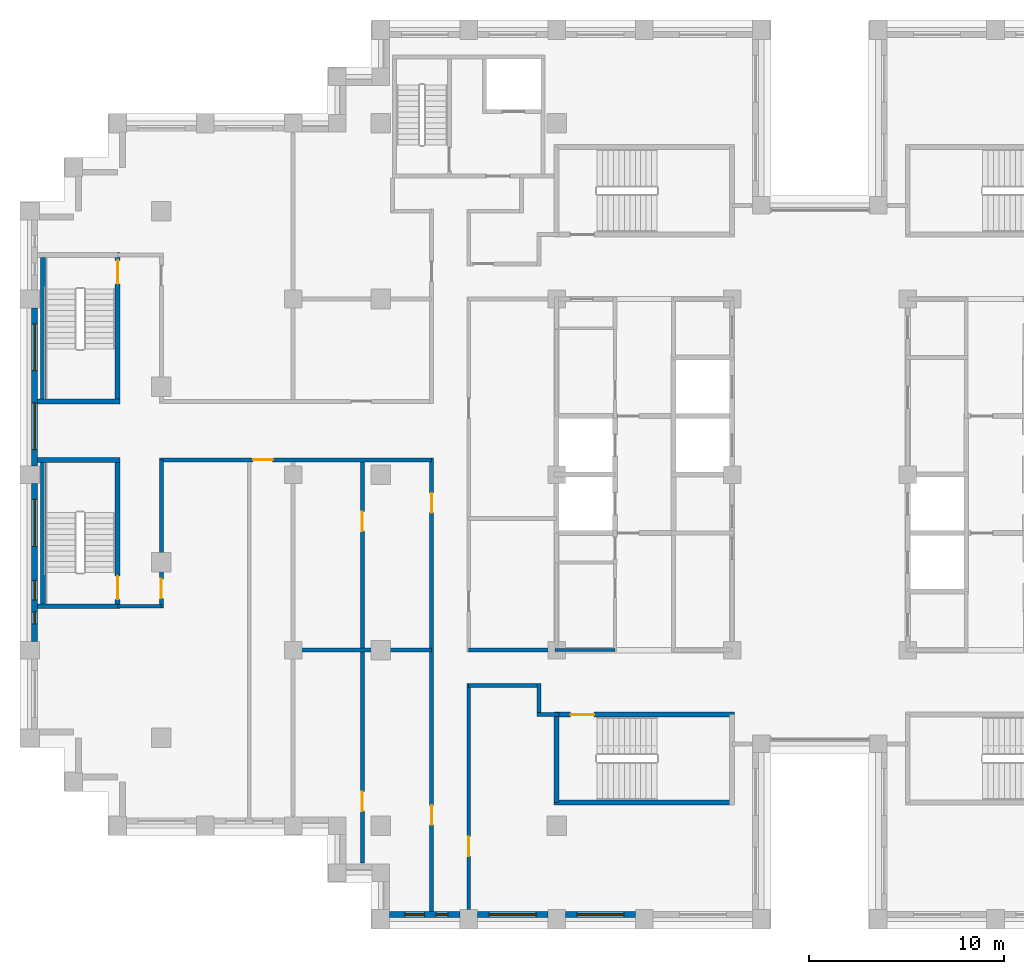
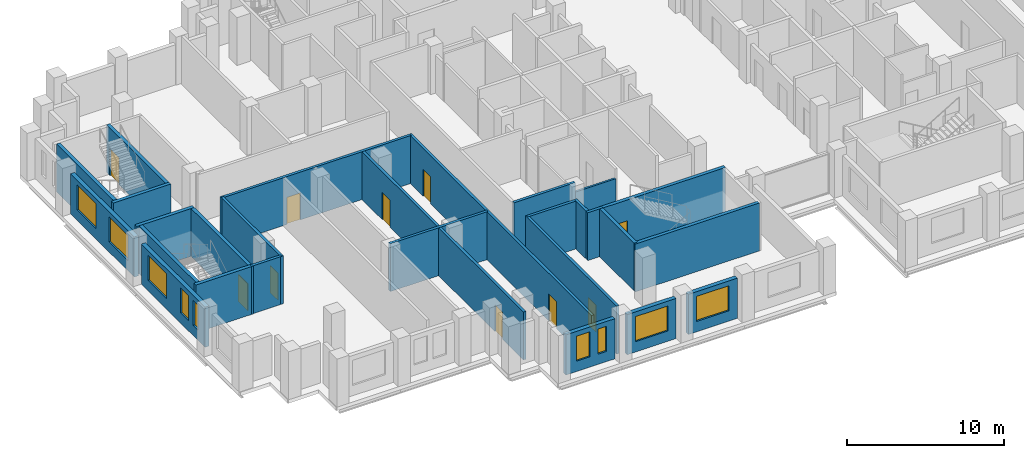
# One storey, part 6 of 15: 27 walls, 10 doors, 9 windows, 19 openings.
"""IFC4 building model written with IfcOpenShell, lengths in metres."""

from ifc_helpers import new_model, si_unit, direction, frame, frame_2d, origin, place, context, subcontext, project, spatial, rectangle, extrude, material, layer, layer_set, type_object, element, fill, save


model = new_model("IFC4")

# Units and contexts
model_context = context("Model", 3, precision=1e-05, world=origin(), true_north=direction((0.0, 1.0)))
body_context = subcontext(model_context, "Body", "Model", "MODEL_VIEW")
ifc_project = project(units=[si_unit("LENGTHUNIT", "METRE"), si_unit("AREAUNIT", "SQUARE_METRE"), si_unit("VOLUMEUNIT", "CUBIC_METRE"), si_unit("PLANEANGLEUNIT", "RADIAN"), si_unit("MASSUNIT", "GRAM", prefix="KILO")], contexts=[model_context])

# Site, building, storey
site_placement = place(None, origin())
site = spatial("IfcSite", under=ifc_project, at=site_placement, CompositionType="ELEMENT")
building_placement = place(site_placement, origin())
building = spatial("IfcBuilding", under=site, at=building_placement, Name="Corbelhall Arena Tower", CompositionType="ELEMENT")
storey_placement = place(building_placement, frame((0.0, 0.0, 220.0)))
storey = spatial("IfcBuildingStorey", under=building, at=storey_placement, Name="L46", CompositionType="ELEMENT", Elevation=220.0)

# Wall, openings, windows
ifc_material_1 = material(Name="Precast concrete C40/50 with granite facing", Category="masonry")
ifc_layer_1 = layer(ifc_material_1, 0.300048828125)
ifc_layer_set_1 = layer_set([ifc_layer_1], Name="EV-IW1 Infill panel 300")
wall_type_1 = type_object("IfcWallType", Name="EV-IW1 Infill panel 300", PredefinedType="SOLIDWALL", material=ifc_layer_set_1)
wall_1_placement = place(storey_placement, frame((-40.25, 8.550048828125, 0.0), z_axis=(0.0, 0.0, 1.0), x_axis=(0.0, -1.0, 0.0)))
wall_1 = element("IfcWall", 1, at=wall_1_placement, inside=storey, type_object=wall_type_1, Name="Infill panel IW1", PredefinedType="SOLIDWALL", context=body_context, shape_type="SweptSolid", body=[
    extrude(rectangle(XDim=8.10009765625, YDim=0.300048828125, at=frame_2d((4.050048828125, 0.0))), origin(), (0.0, 0.0, 1.0), 3.1201171875),
])
opening_1_placement = place(wall_1_placement, frame((0.824951171875, 0.0, 0.800048828125)))
opening_1 = element("IfcOpeningElement", 2, at=opening_1_placement, cuts=wall_1, Name="Opening WN1", PredefinedType="OPENING", context=body_context, shape_type="SweptSolid", body=[
    extrude(rectangle(XDim=2.39990234375, YDim=1.949951171875, at=frame_2d((1.199951171875, 0.97509765625))), frame((0.0, 0.14990234375, 0.0), z_axis=(0.0, -1.0, 0.0), x_axis=(1.0, 0.0, 0.0)), (0.0, 0.0, 1.0), 0.300048828125),
])
opening_2_placement = place(wall_1_placement, frame((4.875, 0.0, 0.800048828125)))
opening_2 = element("IfcOpeningElement", 3, at=opening_2_placement, cuts=wall_1, Name="Opening WN1", PredefinedType="OPENING", context=body_context, shape_type="SweptSolid", body=[
    extrude(rectangle(XDim=2.39990234375, YDim=1.949951171875, at=frame_2d((1.199951171875, 0.97509765625))), frame((0.0, 0.14990234375, 0.0), z_axis=(0.0, -1.0, 0.0), x_axis=(1.0, 0.0, 0.0)), (0.0, 0.0, 1.0), 0.300048828125),
])
ifc_material_2 = material(Name="Aluminium black anodised", Category="aluminium")
window_type_1 = type_object("IfcWindowType", Name="EV-WN1 Office window", PartitioningType="SINGLE_PANEL", PredefinedType="WINDOW", material=ifc_material_2)
window_1_placement = place(opening_1_placement, origin())
window_1 = element("IfcWindow", 4, at=window_1_placement, inside=storey, type_object=window_type_1, Name="Window WN1", OverallHeight=1.949951171875, OverallWidth=2.39990234375, PartitioningType="SINGLE_PANEL", PredefinedType="WINDOW", context=body_context, shape_type="SweptSolid", body=[
    extrude(rectangle(XDim=2.39990234375, YDim=1.949951171875, at=frame_2d((1.199951171875, 0.97509765625))), frame((0.0, 0.030029296875, 0.0), z_axis=(0.0, -1.0, 0.0), x_axis=(1.0, 0.0, 0.0)), (0.0, 0.0, 1.0), 0.06005859375),
])
fill(opening_1, window_1)
window_2_placement = place(opening_2_placement, origin())
window_2 = element("IfcWindow", 5, at=window_2_placement, inside=storey, type_object=window_type_1, Name="Window WN1", OverallHeight=1.949951171875, OverallWidth=2.39990234375, PartitioningType="SINGLE_PANEL", PredefinedType="WINDOW", context=body_context, shape_type="SweptSolid", body=[
    extrude(rectangle(XDim=2.39990234375, YDim=1.949951171875, at=frame_2d((1.199951171875, 0.97509765625))), frame((0.0, 0.030029296875, 0.0), z_axis=(0.0, -1.0, 0.0), x_axis=(1.0, 0.0, 0.0)), (0.0, 0.0, 1.0), 0.06005859375),
])
fill(opening_2, window_2)

wall_2_placement = place(storey_placement, frame((-40.25, -0.449951171875, 0.0), z_axis=(0.0, 0.0, 1.0), x_axis=(0.0, -1.0, 0.0)))
wall_2 = element("IfcWall", 6, at=wall_2_placement, inside=storey, type_object=wall_type_1, Name="Infill panel IW1", PredefinedType="SOLIDWALL", context=body_context, shape_type="SweptSolid", body=[
    extrude(rectangle(XDim=8.10009765625, YDim=0.300048828125, at=frame_2d((4.050048828125, 0.0))), origin(), (0.0, 0.0, 1.0), 3.1201171875),
])
opening_3_placement = place(wall_2_placement, frame((0.824951171875, 0.0, 0.800048828125)))
opening_3 = element("IfcOpeningElement", 7, at=opening_3_placement, cuts=wall_2, Name="Opening WN1", PredefinedType="OPENING", context=body_context, shape_type="SweptSolid", body=[
    extrude(rectangle(XDim=2.39990234375, YDim=1.949951171875, at=frame_2d((1.199951171875, 0.97509765625))), frame((0.0, 0.14990234375, 0.0), z_axis=(0.0, -1.0, 0.0), x_axis=(1.0, 0.0, 0.0)), (0.0, 0.0, 1.0), 0.300048828125),
])
opening_4_placement = place(wall_2_placement, frame((4.97509765625, 0.0, 0.800048828125)))
opening_4 = element("IfcOpeningElement", 8, at=opening_4_placement, cuts=wall_2, Name="Opening WN6", PredefinedType="OPENING", context=body_context, shape_type="SweptSolid", body=[
    extrude(rectangle(XDim=1.0, YDim=1.949951171875, at=frame_2d((0.5, 0.97509765625))), frame((0.0, 0.14990234375, 0.0), z_axis=(0.0, -1.0, 0.0), x_axis=(1.0, 0.0, 0.0)), (0.0, 0.0, 1.0), 0.300048828125),
])
opening_5_placement = place(wall_2_placement, frame((6.60009765625, 0.0, 0.800048828125)))
opening_5 = element("IfcOpeningElement", 9, at=opening_5_placement, cuts=wall_2, Name="Opening WN5", PredefinedType="OPENING", context=body_context, shape_type="SweptSolid", body=[
    extrude(rectangle(XDim=0.60009765625, YDim=1.949951171875, at=frame_2d((0.300048828125, 0.97509765625))), frame((0.0, 0.14990234375, 0.0), z_axis=(0.0, -1.0, 0.0), x_axis=(1.0, 0.0, 0.0)), (0.0, 0.0, 1.0), 0.300048828125),
])
window_3_placement = place(opening_3_placement, origin())
window_3 = element("IfcWindow", 10, at=window_3_placement, inside=storey, type_object=window_type_1, Name="Window WN1", OverallHeight=1.949951171875, OverallWidth=2.39990234375, PartitioningType="SINGLE_PANEL", PredefinedType="WINDOW", context=body_context, shape_type="SweptSolid", body=[
    extrude(rectangle(XDim=2.39990234375, YDim=1.949951171875, at=frame_2d((1.199951171875, 0.97509765625))), frame((0.0, 0.030029296875, 0.0), z_axis=(0.0, -1.0, 0.0), x_axis=(1.0, 0.0, 0.0)), (0.0, 0.0, 1.0), 0.06005859375),
])
fill(opening_3, window_3)
window_type_2 = type_object("IfcWindowType", Name="EV-WN5 Office window 600", PartitioningType="SINGLE_PANEL", PredefinedType="WINDOW", material=ifc_material_2)
window_4_placement = place(opening_5_placement, origin())
window_4 = element("IfcWindow", 11, at=window_4_placement, inside=storey, type_object=window_type_2, Name="Window WN5", OverallHeight=1.949951171875, OverallWidth=0.60009765625, PartitioningType="SINGLE_PANEL", PredefinedType="WINDOW", context=body_context, shape_type="SweptSolid", body=[
    extrude(rectangle(XDim=0.60009765625, YDim=1.949951171875, at=frame_2d((0.300048828125, 0.97509765625))), frame((0.0, 0.030029296875, 0.0), z_axis=(0.0, -1.0, 0.0), x_axis=(1.0, 0.0, 0.0)), (0.0, 0.0, 1.0), 0.06005859375),
])
fill(opening_5, window_4)
window_type_3 = type_object("IfcWindowType", Name="EV-WN6 Office window 1000", PartitioningType="SINGLE_PANEL", PredefinedType="WINDOW", material=ifc_material_2)
window_5_placement = place(opening_4_placement, origin())
window_5 = element("IfcWindow", 12, at=window_5_placement, inside=storey, type_object=window_type_3, Name="Window WN6", OverallHeight=1.949951171875, OverallWidth=1.0, PartitioningType="SINGLE_PANEL", PredefinedType="WINDOW", context=body_context, shape_type="SweptSolid", body=[
    extrude(rectangle(XDim=1.0, YDim=1.949951171875, at=frame_2d((0.5, 0.97509765625))), frame((0.0, 0.030029296875, 0.0), z_axis=(0.0, -1.0, 0.0), x_axis=(1.0, 0.0, 0.0)), (0.0, 0.0, 1.0), 0.06005859375),
])
fill(opening_4, window_5)

wall_3_placement = place(storey_placement, frame((-22.050048828125, -22.550048828125, 0.0), z_axis=(0.0, 0.0, 1.0), x_axis=(1.0, 0.0, 0.0)))
wall_3 = element("IfcWall", 13, at=wall_3_placement, inside=storey, type_object=wall_type_1, Name="Infill panel IW1", PredefinedType="SOLIDWALL", context=body_context, shape_type="SweptSolid", body=[
    extrude(rectangle(XDim=3.60009765625, YDim=0.300048828125, at=frame_2d((1.800048828125, 0.0))), origin(), (0.0, 0.0, 1.0), 3.1201171875),
])
opening_6_placement = place(wall_3_placement, frame((0.77490234375, 0.0, 0.800048828125)))
opening_6 = element("IfcOpeningElement", 14, at=opening_6_placement, cuts=wall_3, Name="Opening WN6", PredefinedType="OPENING", context=body_context, shape_type="SweptSolid", body=[
    extrude(rectangle(XDim=1.0, YDim=1.949951171875, at=frame_2d((0.5, 0.97509765625))), frame((0.0, 0.14990234375, 0.0), z_axis=(0.0, -1.0, 0.0), x_axis=(1.0, 0.0, 0.0)), (0.0, 0.0, 1.0), 0.300048828125),
])
opening_7_placement = place(wall_3_placement, frame((2.375, 0.0, 0.800048828125)))
opening_7 = element("IfcOpeningElement", 15, at=opening_7_placement, cuts=wall_3, Name="Opening WN5", PredefinedType="OPENING", context=body_context, shape_type="SweptSolid", body=[
    extrude(rectangle(XDim=0.60009765625, YDim=1.949951171875, at=frame_2d((0.300048828125, 0.97509765625))), frame((0.0, 0.14990234375, 0.0), z_axis=(0.0, -1.0, 0.0), x_axis=(1.0, 0.0, 0.0)), (0.0, 0.0, 1.0), 0.300048828125),
])
window_6_placement = place(opening_7_placement, origin())
window_6 = element("IfcWindow", 16, at=window_6_placement, inside=storey, type_object=window_type_2, Name="Window WN5", OverallHeight=1.949951171875, OverallWidth=0.60009765625, PartitioningType="SINGLE_PANEL", PredefinedType="WINDOW", context=body_context, shape_type="SweptSolid", body=[
    extrude(rectangle(XDim=0.60009765625, YDim=1.949951171875, at=frame_2d((0.300048828125, 0.97509765625))), frame((0.0, 0.030029296875, 0.0), z_axis=(0.0, -1.0, 0.0), x_axis=(1.0, 0.0, 0.0)), (0.0, 0.0, 1.0), 0.06005859375),
])
fill(opening_7, window_6)
window_7_placement = place(opening_6_placement, origin())
window_7 = element("IfcWindow", 17, at=window_7_placement, inside=storey, type_object=window_type_3, Name="Window WN6", OverallHeight=1.949951171875, OverallWidth=1.0, PartitioningType="SINGLE_PANEL", PredefinedType="WINDOW", context=body_context, shape_type="SweptSolid", body=[
    extrude(rectangle(XDim=1.0, YDim=1.949951171875, at=frame_2d((0.5, 0.97509765625))), frame((0.0, 0.030029296875, 0.0), z_axis=(0.0, -1.0, 0.0), x_axis=(1.0, 0.0, 0.0)), (0.0, 0.0, 1.0), 0.06005859375),
])
fill(opening_6, window_7)

# Wall, opening, window
wall_4_placement = place(storey_placement, frame((-17.550048828125, -22.550048828125, 0.0), z_axis=(0.0, 0.0, 1.0), x_axis=(1.0, 0.0, 0.0)))
wall_4 = element("IfcWall", 18, at=wall_4_placement, inside=storey, type_object=wall_type_1, Name="Infill panel IW1", PredefinedType="SOLIDWALL", context=body_context, shape_type="SweptSolid", body=[
    extrude(rectangle(XDim=3.60009765625, YDim=0.300048828125, at=frame_2d((1.800048828125, 0.0))), origin(), (0.0, 0.0, 1.0), 3.1201171875),
])
opening_8_placement = place(wall_4_placement, frame((0.60009765625, 0.0, 0.800048828125)))
opening_8 = element("IfcOpeningElement", 19, at=opening_8_placement, cuts=wall_4, Name="Opening WN1", PredefinedType="OPENING", context=body_context, shape_type="SweptSolid", body=[
    extrude(rectangle(XDim=2.39990234375, YDim=1.949951171875, at=frame_2d((1.199951171875, 0.97509765625))), frame((0.0, 0.14990234375, 0.0), z_axis=(0.0, -1.0, 0.0), x_axis=(1.0, 0.0, 0.0)), (0.0, 0.0, 1.0), 0.300048828125),
])
window_8_placement = place(opening_8_placement, origin())
window_8 = element("IfcWindow", 20, at=window_8_placement, inside=storey, type_object=window_type_1, Name="Window WN1", OverallHeight=1.949951171875, OverallWidth=2.39990234375, PartitioningType="SINGLE_PANEL", PredefinedType="WINDOW", context=body_context, shape_type="SweptSolid", body=[
    extrude(rectangle(XDim=2.39990234375, YDim=1.949951171875, at=frame_2d((1.199951171875, 0.97509765625))), frame((0.0, 0.030029296875, 0.0), z_axis=(0.0, -1.0, 0.0), x_axis=(1.0, 0.0, 0.0)), (0.0, 0.0, 1.0), 0.06005859375),
])
fill(opening_8, window_8)

wall_5_placement = place(storey_placement, frame((-13.050048828125, -22.550048828125, 0.0), z_axis=(0.0, 0.0, 1.0), x_axis=(1.0, 0.0, 0.0)))
wall_5 = element("IfcWall", 21, at=wall_5_placement, inside=storey, type_object=wall_type_1, Name="Infill panel IW1", PredefinedType="SOLIDWALL", context=body_context, shape_type="SweptSolid", body=[
    extrude(rectangle(XDim=3.60009765625, YDim=0.300048828125, at=frame_2d((1.800048828125, 0.0))), origin(), (0.0, 0.0, 1.0), 3.1201171875),
])
opening_9_placement = place(wall_5_placement, frame((0.60009765625, 0.0, 0.800048828125)))
opening_9 = element("IfcOpeningElement", 22, at=opening_9_placement, cuts=wall_5, Name="Opening WN1", PredefinedType="OPENING", context=body_context, shape_type="SweptSolid", body=[
    extrude(rectangle(XDim=2.39990234375, YDim=1.949951171875, at=frame_2d((1.199951171875, 0.97509765625))), frame((0.0, 0.14990234375, 0.0), z_axis=(0.0, -1.0, 0.0), x_axis=(1.0, 0.0, 0.0)), (0.0, 0.0, 1.0), 0.300048828125),
])
window_9_placement = place(opening_9_placement, origin())
window_9 = element("IfcWindow", 23, at=window_9_placement, inside=storey, type_object=window_type_1, Name="Window WN1", OverallHeight=1.949951171875, OverallWidth=2.39990234375, PartitioningType="SINGLE_PANEL", PredefinedType="WINDOW", context=body_context, shape_type="SweptSolid", body=[
    extrude(rectangle(XDim=2.39990234375, YDim=1.949951171875, at=frame_2d((1.199951171875, 0.97509765625))), frame((0.0, 0.030029296875, 0.0), z_axis=(0.0, -1.0, 0.0), x_axis=(1.0, 0.0, 0.0)), (0.0, 0.0, 1.0), 0.06005859375),
])
fill(opening_9, window_9)

# Wall
ifc_material_3 = material(Name="Gypsum board on steel stud, acoustic", Category="steel")
ifc_layer_2 = layer(ifc_material_3, 0.199951171875)
ifc_layer_set_2 = layer_set([ifc_layer_2], Name="IN-W-DM200")
wall_type_2 = type_object("IfcWallType", Name="IN-W-DM200", PredefinedType="PARTITIONING", material=ifc_layer_set_2)
wall_6_placement = place(storey_placement, frame((-33.75, -6.75, 0.0), z_axis=(0.0, 0.0, 1.0), x_axis=(-1.0, 0.0, 0.0)))
element("IfcWall", 24, at=wall_6_placement, inside=storey, type_object=wall_type_2, Name="Partition 003", PredefinedType="PARTITIONING", context=body_context, shape_type="SweptSolid", body=[
    extrude(rectangle(XDim=2.25, YDim=0.199951171875, at=frame_2d((1.125, 0.0))), origin(), (0.0, 0.0, 1.0), 3.719970703125),
])

# Wall, opening, door
wall_7_placement = place(storey_placement, frame((-33.75, 0.75, 0.0), z_axis=(0.0, 0.0, 1.0), x_axis=(0.0, -1.0, 0.0)))
wall_7 = element("IfcWall", 25, at=wall_7_placement, inside=storey, type_object=wall_type_2, Name="Partition 004", PredefinedType="PARTITIONING", context=body_context, shape_type="SweptSolid", body=[
    extrude(rectangle(XDim=7.60009765625, YDim=0.199951171875, at=frame_2d((3.800048828125, 0.0))), origin(), (0.0, 0.0, 1.0), 3.719970703125),
])
opening_10_placement = place(wall_7_placement, frame((6.10009765625, 0.0, 0.0)))
opening_10 = element("IfcOpeningElement", 26, at=opening_10_placement, cuts=wall_7, Name="Opening 14043", PredefinedType="OPENING", context=body_context, shape_type="SweptSolid", body=[
    extrude(rectangle(XDim=1.0, YDim=2.10009765625, at=frame_2d((0.5, 1.050048828125))), frame((0.0, 0.10009765625, 0.0), z_axis=(0.0, -1.0, 0.0), x_axis=(1.0, 0.0, 0.0)), (0.0, 0.0, 1.0), 0.199951171875),
])
ifc_material_4 = material(Name="Steel door set", Category="steel")
door_type_1 = type_object("IfcDoorType", Name="IN-D-SW100", OperationType="NOTDEFINED", PredefinedType="DOOR", material=ifc_material_4)
door_1_placement = place(opening_10_placement, origin())
door_1 = element("IfcDoor", 27, at=door_1_placement, inside=storey, type_object=door_type_1, Name="Door 043", OperationType="SINGLE_SWING_RIGHT", OverallHeight=2.10009765625, OverallWidth=1.0, PredefinedType="DOOR", context=body_context, shape_type="SweptSolid", body=[
    extrude(rectangle(XDim=1.0, YDim=2.10009765625, at=frame_2d((0.5, 1.050048828125))), frame((0.0, 0.02490234375, 0.0), z_axis=(0.0, -1.0, 0.0), x_axis=(1.0, 0.0, 0.0)), (0.0, 0.0, 1.0), 0.050048828125),
])
fill(opening_10, door_1)

wall_8_placement = place(storey_placement, frame((-19.89990234375, 0.75, 0.0), z_axis=(0.0, 0.0, 1.0), x_axis=(-1.0, 0.0, 0.0)))
wall_8 = element("IfcWall", 28, at=wall_8_placement, inside=storey, type_object=wall_type_2, Name="Partition 007", PredefinedType="PARTITIONING", context=body_context, shape_type="SweptSolid", body=[
    extrude(rectangle(XDim=13.9501953125, YDim=0.199951171875, at=frame_2d((6.97509765625, 0.0))), origin(), (0.0, 0.0, 1.0), 3.719970703125),
])
opening_11_placement = place(wall_8_placement, frame((8.14990234375, 0.0, 0.0)))
opening_11 = element("IfcOpeningElement", 29, at=opening_11_placement, cuts=wall_8, Name="Opening 14044", PredefinedType="OPENING", context=body_context, shape_type="SweptSolid", body=[
    extrude(rectangle(XDim=1.0, YDim=2.10009765625, at=frame_2d((0.5, 1.050048828125))), frame((0.0, 0.10009765625, 0.0), z_axis=(0.0, -1.0, 0.0), x_axis=(1.0, 0.0, 0.0)), (0.0, 0.0, 1.0), 0.199951171875),
])
door_2_placement = place(opening_11_placement, origin())
door_2 = element("IfcDoor", 30, at=door_2_placement, inside=storey, type_object=door_type_1, Name="Door 044", OperationType="SINGLE_SWING_LEFT", OverallHeight=2.10009765625, OverallWidth=1.0, PredefinedType="DOOR", context=body_context, shape_type="SweptSolid", body=[
    extrude(rectangle(XDim=1.0, YDim=2.10009765625, at=frame_2d((0.5, 1.050048828125))), frame((0.0, 0.02490234375, 0.0), z_axis=(0.0, -1.0, 0.0), x_axis=(1.0, 0.0, 0.0)), (0.0, 0.0, 1.0), 0.050048828125),
])
fill(opening_11, door_2)

# Wall
wall_9_placement = place(storey_placement, frame((-27.10009765625, -9.0, 0.0), z_axis=(0.0, 0.0, 1.0), x_axis=(1.0, 0.0, 0.0)))
element("IfcWall", 31, at=wall_9_placement, inside=storey, type_object=wall_type_2, Name="Partition 008", PredefinedType="PARTITIONING", context=body_context, shape_type="SweptSolid", body=[
    extrude(rectangle(XDim=7.2001953125, YDim=0.199951171875, at=frame_2d((3.60009765625, 0.0))), origin(), (0.0, 0.0, 1.0), 3.719970703125),
])

# Wall, openings, doors
wall_10_placement = place(storey_placement, frame((-23.449951171875, -19.89990234375, 0.0), z_axis=(0.0, 0.0, 1.0), x_axis=(0.0, 1.0, 0.0)))
wall_10 = element("IfcWall", 32, at=wall_10_placement, inside=storey, type_object=wall_type_2, Name="Partition 012", PredefinedType="PARTITIONING", context=body_context, shape_type="SweptSolid", body=[
    extrude(rectangle(XDim=20.64990234375, YDim=0.199951171875, at=frame_2d((10.324951171875, 0.0))), origin(), (0.0, 0.0, 1.0), 3.719970703125),
])
opening_12_placement = place(wall_10_placement, frame((2.64990234375, 0.0, 0.0)))
opening_12 = element("IfcOpeningElement", 33, at=opening_12_placement, cuts=wall_10, Name="Opening 14035", PredefinedType="OPENING", context=body_context, shape_type="SweptSolid", body=[
    extrude(rectangle(XDim=1.0, YDim=2.10009765625, at=frame_2d((0.5, 1.050048828125))), frame((0.0, 0.10009765625, 0.0), z_axis=(0.0, -1.0, 0.0), x_axis=(1.0, 0.0, 0.0)), (0.0, 0.0, 1.0), 0.199951171875),
])
opening_13_placement = place(wall_10_placement, frame((17.0, 0.0, 0.0)))
opening_13 = element("IfcOpeningElement", 34, at=opening_13_placement, cuts=wall_10, Name="Opening 14037", PredefinedType="OPENING", context=body_context, shape_type="SweptSolid", body=[
    extrude(rectangle(XDim=1.0, YDim=2.10009765625, at=frame_2d((0.5, 1.050048828125))), frame((0.0, 0.10009765625, 0.0), z_axis=(0.0, -1.0, 0.0), x_axis=(1.0, 0.0, 0.0)), (0.0, 0.0, 1.0), 0.199951171875),
])
door_3_placement = place(opening_12_placement, origin())
door_3 = element("IfcDoor", 35, at=door_3_placement, inside=storey, type_object=door_type_1, Name="Door 035", OperationType="SINGLE_SWING_RIGHT", OverallHeight=2.10009765625, OverallWidth=1.0, PredefinedType="DOOR", context=body_context, shape_type="SweptSolid", body=[
    extrude(rectangle(XDim=1.0, YDim=2.10009765625, at=frame_2d((0.5, 1.050048828125))), frame((0.0, 0.02490234375, 0.0), z_axis=(0.0, -1.0, 0.0), x_axis=(1.0, 0.0, 0.0)), (0.0, 0.0, 1.0), 0.050048828125),
])
fill(opening_12, door_3)
door_4_placement = place(opening_13_placement, origin())
door_4 = element("IfcDoor", 36, at=door_4_placement, inside=storey, type_object=door_type_1, Name="Door 037", OperationType="SINGLE_SWING_RIGHT", OverallHeight=2.10009765625, OverallWidth=1.0, PredefinedType="DOOR", context=body_context, shape_type="SweptSolid", body=[
    extrude(rectangle(XDim=1.0, YDim=2.10009765625, at=frame_2d((0.5, 1.050048828125))), frame((0.0, 0.02490234375, 0.0), z_axis=(0.0, -1.0, 0.0), x_axis=(1.0, 0.0, 0.0)), (0.0, 0.0, 1.0), 0.050048828125),
])
fill(opening_13, door_4)

wall_11_placement = place(storey_placement, frame((-19.89990234375, -22.39990234375, 0.0), z_axis=(0.0, 0.0, 1.0), x_axis=(0.0, 1.0, 0.0)))
wall_11 = element("IfcWall", 37, at=wall_11_placement, inside=storey, type_object=wall_type_2, Name="Partition 014", PredefinedType="PARTITIONING", context=body_context, shape_type="SweptSolid", body=[
    extrude(rectangle(XDim=23.25, YDim=0.199951171875, at=frame_2d((11.625, 0.0))), origin(), (0.0, 0.0, 1.0), 3.719970703125),
])
opening_14_placement = place(wall_11_placement, frame((4.449951171875, 0.0, 0.0)))
opening_14 = element("IfcOpeningElement", 38, at=opening_14_placement, cuts=wall_11, Name="Opening 14034", PredefinedType="OPENING", context=body_context, shape_type="SweptSolid", body=[
    extrude(rectangle(XDim=1.0, YDim=2.10009765625, at=frame_2d((0.5, 1.050048828125))), frame((0.0, 0.10009765625, 0.0), z_axis=(0.0, -1.0, 0.0), x_axis=(1.0, 0.0, 0.0)), (0.0, 0.0, 1.0), 0.199951171875),
])
opening_15_placement = place(wall_11_placement, frame((20.449951171875, 0.0, 0.0)))
opening_15 = element("IfcOpeningElement", 39, at=opening_15_placement, cuts=wall_11, Name="Opening 14036", PredefinedType="OPENING", context=body_context, shape_type="SweptSolid", body=[
    extrude(rectangle(XDim=1.0, YDim=2.10009765625, at=frame_2d((0.5, 1.050048828125))), frame((0.0, 0.10009765625, 0.0), z_axis=(0.0, -1.0, 0.0), x_axis=(1.0, 0.0, 0.0)), (0.0, 0.0, 1.0), 0.199951171875),
])
door_5_placement = place(opening_14_placement, origin())
door_5 = element("IfcDoor", 40, at=door_5_placement, inside=storey, type_object=door_type_1, Name="Door 034", OperationType="SINGLE_SWING_LEFT", OverallHeight=2.10009765625, OverallWidth=1.0, PredefinedType="DOOR", context=body_context, shape_type="SweptSolid", body=[
    extrude(rectangle(XDim=1.0, YDim=2.10009765625, at=frame_2d((0.5, 1.050048828125))), frame((0.0, 0.02490234375, 0.0), z_axis=(0.0, -1.0, 0.0), x_axis=(1.0, 0.0, 0.0)), (0.0, 0.0, 1.0), 0.050048828125),
])
fill(opening_14, door_5)
door_6_placement = place(opening_15_placement, origin())
door_6 = element("IfcDoor", 41, at=door_6_placement, inside=storey, type_object=door_type_1, Name="Door 036", OperationType="SINGLE_SWING_LEFT", OverallHeight=2.10009765625, OverallWidth=1.0, PredefinedType="DOOR", context=body_context, shape_type="SweptSolid", body=[
    extrude(rectangle(XDim=1.0, YDim=2.10009765625, at=frame_2d((0.5, 1.050048828125))), frame((0.0, 0.02490234375, 0.0), z_axis=(0.0, -1.0, 0.0), x_axis=(1.0, 0.0, 0.0)), (0.0, 0.0, 1.0), 0.050048828125),
])
fill(opening_15, door_6)

# Wall, opening, door
wall_12_placement = place(storey_placement, frame((-18.0, -10.699951171875, 0.0), z_axis=(0.0, 0.0, 1.0), x_axis=(0.0, -1.0, 0.0)))
wall_12 = element("IfcWall", 42, at=wall_12_placement, inside=storey, type_object=wall_type_2, Name="Partition 017", PredefinedType="PARTITIONING", context=body_context, shape_type="SweptSolid", body=[
    extrude(rectangle(XDim=11.60009765625, YDim=0.199951171875, at=frame_2d((5.800048828125, 0.0))), origin(), (0.0, 0.0, 1.0), 3.719970703125),
])
opening_16_placement = place(wall_12_placement, frame((7.85009765625, 0.0, 0.0)))
opening_16 = element("IfcOpeningElement", 43, at=opening_16_placement, cuts=wall_12, Name="Opening 14030", PredefinedType="OPENING", context=body_context, shape_type="SweptSolid", body=[
    extrude(rectangle(XDim=1.0, YDim=2.10009765625, at=frame_2d((0.5, 1.050048828125))), frame((0.0, 0.10009765625, 0.0), z_axis=(0.0, -1.0, 0.0), x_axis=(1.0, 0.0, 0.0)), (0.0, 0.0, 1.0), 0.199951171875),
])
door_7_placement = place(opening_16_placement, origin())
door_7 = element("IfcDoor", 44, at=door_7_placement, inside=storey, type_object=door_type_1, Name="Door 030", OperationType="SINGLE_SWING_LEFT", OverallHeight=2.10009765625, OverallWidth=1.0, PredefinedType="DOOR", context=body_context, shape_type="SweptSolid", body=[
    extrude(rectangle(XDim=1.0, YDim=2.10009765625, at=frame_2d((0.5, 1.050048828125))), frame((0.0, 0.02490234375, 0.0), z_axis=(0.0, -1.0, 0.0), x_axis=(1.0, 0.0, 0.0)), (0.0, 0.0, 1.0), 0.050048828125),
])
fill(opening_16, door_7)

# Walls
wall_13_placement = place(storey_placement, frame((-18.0, -9.0, 0.0), z_axis=(0.0, 0.0, 1.0), x_axis=(1.0, 0.0, 0.0)))
element("IfcWall", 45, at=wall_13_placement, inside=storey, type_object=wall_type_2, Name="Partition 018", PredefinedType="PARTITIONING", context=body_context, shape_type="SweptSolid", body=[
    extrude(rectangle(XDim=4.5, YDim=0.199951171875, at=frame_2d((2.25, 0.0))), origin(), (0.0, 0.0, 1.0), 3.719970703125),
])
wall_14_placement = place(storey_placement, frame((-14.39990234375, -12.300048828125, 0.0), z_axis=(0.0, 0.0, 1.0), x_axis=(0.0, 1.0, 0.0)))
element("IfcWall", 46, at=wall_14_placement, inside=storey, type_object=wall_type_2, Name="Partition 026", PredefinedType="PARTITIONING", context=body_context, shape_type="SweptSolid", body=[
    extrude(rectangle(XDim=1.60009765625, YDim=0.199951171875, at=frame_2d((0.800048828125, 0.0))), origin(), (0.0, 0.0, 1.0), 3.719970703125),
])
wall_15_placement = place(storey_placement, frame((-14.39990234375, -10.800048828125, 0.0), z_axis=(0.0, 0.0, 1.0), x_axis=(-1.0, 0.0, 0.0)))
element("IfcWall", 47, at=wall_15_placement, inside=storey, type_object=wall_type_2, Name="Partition 027", PredefinedType="PARTITIONING", context=body_context, shape_type="SweptSolid", body=[
    extrude(rectangle(XDim=3.60009765625, YDim=0.199951171875, at=frame_2d((1.800048828125, 0.0))), origin(), (0.0, 0.0, 1.0), 3.719970703125),
])
wall_16_placement = place(storey_placement, frame((-13.375, -12.300048828125, 0.0), z_axis=(0.0, 0.0, 1.0), x_axis=(-1.0, 0.0, 0.0)))
element("IfcWall", 48, at=wall_16_placement, inside=storey, type_object=wall_type_2, Name="Partition 030", PredefinedType="PARTITIONING", context=body_context, shape_type="SweptSolid", body=[
    extrude(rectangle(XDim=1.125, YDim=0.199951171875, at=frame_2d((0.5625, 0.0))), origin(), (0.0, 0.0, 1.0), 3.719970703125),
])
ifc_material_5 = material(Name="Concrete C40/50", Category="concrete")
ifc_layer_3 = layer(ifc_material_5, 0.25)
ifc_layer_set_3 = layer_set([ifc_layer_3], Name="IN-W-ST250")
wall_type_3 = type_object("IfcWallType", Name="IN-W-ST250", PredefinedType="SOLIDWALL", material=ifc_layer_set_3)
wall_17_placement = place(storey_placement, frame((-40.10009765625, 3.75, 0.0), z_axis=(0.0, 0.0, 1.0), x_axis=(1.0, 0.0, 0.0)))
element("IfcWall", 49, at=wall_17_placement, inside=storey, type_object=wall_type_3, Name="Shaft wall 095", PredefinedType="SOLIDWALL", context=body_context, shape_type="SweptSolid", body=[
    extrude(rectangle(XDim=4.22509765625, YDim=0.25, at=frame_2d((2.112548828125, 0.0))), origin(), (0.0, 0.0, 1.0), 3.719970703125),
])
wall_18_placement = place(storey_placement, frame((-36.0, -6.75, 0.0), z_axis=(0.0, 0.0, 1.0), x_axis=(-1.0, 0.0, 0.0)))
element("IfcWall", 50, at=wall_18_placement, inside=storey, type_object=wall_type_3, Name="Shaft wall 097", PredefinedType="SOLIDWALL", context=body_context, shape_type="SweptSolid", body=[
    extrude(rectangle(XDim=4.10009765625, YDim=0.25, at=frame_2d((2.050048828125, 0.0))), origin(), (0.0, 0.0, 1.0), 3.719970703125),
])

# Wall, opening, door
wall_19_placement = place(storey_placement, frame((-36.0, 0.75, 0.0), z_axis=(0.0, 0.0, 1.0), x_axis=(0.0, -1.0, 0.0)))
wall_19 = element("IfcWall", 51, at=wall_19_placement, inside=storey, type_object=wall_type_3, Name="Shaft wall 098", PredefinedType="SOLIDWALL", context=body_context, shape_type="SweptSolid", body=[
    extrude(rectangle(XDim=7.625, YDim=0.25, at=frame_2d((3.8125, 0.0))), origin(), (0.0, 0.0, 1.0), 3.719970703125),
])
opening_17_placement = place(wall_19_placement, frame((5.949951171875, 0.0, 0.0)))
opening_17 = element("IfcOpeningElement", 52, at=opening_17_placement, cuts=wall_19, Name="Opening 14023", PredefinedType="OPENING", context=body_context, shape_type="SweptSolid", body=[
    extrude(rectangle(XDim=1.199951171875, YDim=2.10009765625, at=frame_2d((0.60009765625, 1.050048828125))), frame((0.0, 0.125, 0.0), z_axis=(0.0, -1.0, 0.0), x_axis=(1.0, 0.0, 0.0)), (0.0, 0.0, 1.0), 0.25),
])
door_type_2 = type_object("IfcDoorType", Name="IN-D-ST120", OperationType="NOTDEFINED", PredefinedType="DOOR", material=ifc_material_4)
door_8_placement = place(opening_17_placement, origin())
door_8 = element("IfcDoor", 53, at=door_8_placement, inside=storey, type_object=door_type_2, Name="Door 023", OperationType="SINGLE_SWING_RIGHT", OverallHeight=2.10009765625, OverallWidth=1.199951171875, PredefinedType="DOOR", context=body_context, shape_type="SweptSolid", body=[
    extrude(rectangle(XDim=1.199951171875, YDim=2.10009765625, at=frame_2d((0.60009765625, 1.050048828125))), frame((0.0, 0.02490234375, 0.0), z_axis=(0.0, -1.0, 0.0), x_axis=(1.0, 0.0, 0.0)), (0.0, 0.0, 1.0), 0.050048828125),
])
fill(opening_17, door_8)

wall_20_placement = place(storey_placement, frame((-36.0, 11.375, 0.0), z_axis=(0.0, 0.0, 1.0), x_axis=(0.0, -1.0, 0.0)))
wall_20 = element("IfcWall", 54, at=wall_20_placement, inside=storey, type_object=wall_type_3, Name="Shaft wall 099", PredefinedType="SOLIDWALL", context=body_context, shape_type="SweptSolid", body=[
    extrude(rectangle(XDim=7.625, YDim=0.25, at=frame_2d((3.8125, 0.0))), origin(), (0.0, 0.0, 1.0), 3.719970703125),
])
opening_18_placement = place(wall_20_placement, frame((0.39990234375, 0.0, 0.0)))
opening_18 = element("IfcOpeningElement", 55, at=opening_18_placement, cuts=wall_20, Name="Opening 14022", PredefinedType="OPENING", context=body_context, shape_type="SweptSolid", body=[
    extrude(rectangle(XDim=1.199951171875, YDim=2.10009765625, at=frame_2d((0.60009765625, 1.050048828125))), frame((0.0, 0.125, 0.0), z_axis=(0.0, -1.0, 0.0), x_axis=(1.0, 0.0, 0.0)), (0.0, 0.0, 1.0), 0.25),
])
door_9_placement = place(opening_18_placement, origin())
door_9 = element("IfcDoor", 56, at=door_9_placement, inside=storey, type_object=door_type_2, Name="Door 022", OperationType="SINGLE_SWING_LEFT", OverallHeight=2.10009765625, OverallWidth=1.199951171875, PredefinedType="DOOR", context=body_context, shape_type="SweptSolid", body=[
    extrude(rectangle(XDim=1.199951171875, YDim=2.10009765625, at=frame_2d((0.60009765625, 1.050048828125))), frame((0.0, 0.02490234375, 0.0), z_axis=(0.0, -1.0, 0.0), x_axis=(1.0, 0.0, 0.0)), (0.0, 0.0, 1.0), 0.050048828125),
])
fill(opening_18, door_9)

# Walls
wall_21_placement = place(storey_placement, frame((-35.875, 0.75, 0.0), z_axis=(0.0, 0.0, 1.0), x_axis=(-1.0, 0.0, 0.0)))
element("IfcWall", 57, at=wall_21_placement, inside=storey, type_object=wall_type_3, Name="Shaft wall 100", PredefinedType="SOLIDWALL", context=body_context, shape_type="SweptSolid", body=[
    extrude(rectangle(XDim=4.22509765625, YDim=0.25, at=frame_2d((2.112548828125, 0.0))), origin(), (0.0, 0.0, 1.0), 3.719970703125),
])
wall_22_placement = place(storey_placement, frame((-13.5, -16.800048828125, 0.0), z_axis=(0.0, 0.0, 1.0), x_axis=(0.0, 1.0, 0.0)))
element("IfcWall", 58, at=wall_22_placement, inside=storey, type_object=wall_type_3, Name="Shaft wall 103", PredefinedType="SOLIDWALL", context=body_context, shape_type="SweptSolid", body=[
    extrude(rectangle(XDim=4.5, YDim=0.25, at=frame_2d((2.25, 0.0))), origin(), (0.0, 0.0, 1.0), 3.719970703125),
])
wall_23_placement = place(storey_placement, frame((-4.5, -16.800048828125, 0.0), z_axis=(0.0, 0.0, 1.0), x_axis=(-1.0, 0.0, 0.0)))
element("IfcWall", 59, at=wall_23_placement, inside=storey, type_object=wall_type_3, Name="Shaft wall 105", PredefinedType="SOLIDWALL", context=body_context, shape_type="SweptSolid", body=[
    extrude(rectangle(XDim=9.125, YDim=0.25, at=frame_2d((4.5625, 0.0))), origin(), (0.0, 0.0, 1.0), 3.719970703125),
])

# Wall, opening, door
wall_24_placement = place(storey_placement, frame((-4.375, -12.300048828125, 0.0), z_axis=(0.0, 0.0, 1.0), x_axis=(-1.0, 0.0, 0.0)))
wall_24 = element("IfcWall", 60, at=wall_24_placement, inside=storey, type_object=wall_type_3, Name="Shaft wall 108", PredefinedType="SOLIDWALL", context=body_context, shape_type="SweptSolid", body=[
    extrude(rectangle(XDim=9.25, YDim=0.25, at=frame_2d((4.625, 0.0))), origin(), (0.0, 0.0, 1.0), 3.719970703125),
])
opening_19_placement = place(wall_24_placement, frame((7.199951171875, 0.0, 0.0)))
opening_19 = element("IfcOpeningElement", 61, at=opening_19_placement, cuts=wall_24, Name="Opening 14019", PredefinedType="OPENING", context=body_context, shape_type="SweptSolid", body=[
    extrude(rectangle(XDim=1.199951171875, YDim=2.10009765625, at=frame_2d((0.60009765625, 1.050048828125))), frame((0.0, 0.125, 0.0), z_axis=(0.0, -1.0, 0.0), x_axis=(1.0, 0.0, 0.0)), (0.0, 0.0, 1.0), 0.25),
])
door_10_placement = place(opening_19_placement, origin())
door_10 = element("IfcDoor", 62, at=door_10_placement, inside=storey, type_object=door_type_2, Name="Door 019", OperationType="SINGLE_SWING_RIGHT", OverallHeight=2.10009765625, OverallWidth=1.199951171875, PredefinedType="DOOR", context=body_context, shape_type="SweptSolid", body=[
    extrude(rectangle(XDim=1.199951171875, YDim=2.10009765625, at=frame_2d((0.60009765625, 1.050048828125))), frame((0.0, 0.02490234375, 0.0), z_axis=(0.0, -1.0, 0.0), x_axis=(1.0, 0.0, 0.0)), (0.0, 0.0, 1.0), 0.050048828125),
])
fill(opening_19, door_10)

# Walls
for number, where, z_axis, x_axis, name in (
    (63, (-39.824951171875, 3.875, 0.0), (0.0, 0.0, 1.0), (0.0, 1.0, 0.0), "Shaft wall SC1 facade side"),
    (64, (-39.824951171875, -6.625, 0.0), (0.0, 0.0, 1.0), (0.0, 1.0, 0.0), "Shaft wall SC2 facade side"),
):
    element("IfcWall", number, at=place(storey_placement, frame(where, z_axis=z_axis, x_axis=x_axis)), inside=storey, type_object=wall_type_3, Name=name, PredefinedType="SOLIDWALL", context=body_context, shape_type="SweptSolid", body=[
        extrude(rectangle(XDim=7.25, YDim=0.25, at=frame_2d((3.625, 0.0))), origin(), (0.0, 0.0, 1.0), 3.719970703125),
    ])
ifc_material_6 = material(Name="Gypsum board on steel stud, moisture resistant", Category="steel")
ifc_layer_4 = layer(ifc_material_6, 0.14990234375)
ifc_layer_set_4 = layer_set([ifc_layer_4], Name="IN-W-WC150 under beam 762 mm")
wall_type_4 = type_object("IfcWallType", Name="IN-W-WC150 under beam 762 mm", PredefinedType="PARTITIONING", material=ifc_layer_set_4)
wall_25_placement = place(storey_placement, frame((-10.5, -9.0, 0.0), z_axis=(0.0, 0.0, 1.0), x_axis=(-1.0, 0.0, 0.0)))
element("IfcWall", 65, at=wall_25_placement, inside=storey, type_object=wall_type_4, Name="Partition 122", PredefinedType="PARTITIONING", context=body_context, shape_type="SweptSolid", body=[
    extrude(rectangle(XDim=3.074951171875, YDim=0.14990234375, at=frame_2d((1.53759765625, 0.0))), origin(), (0.0, 0.0, 1.0), 2.9580078125),
])

save(model, "model.ifc")
